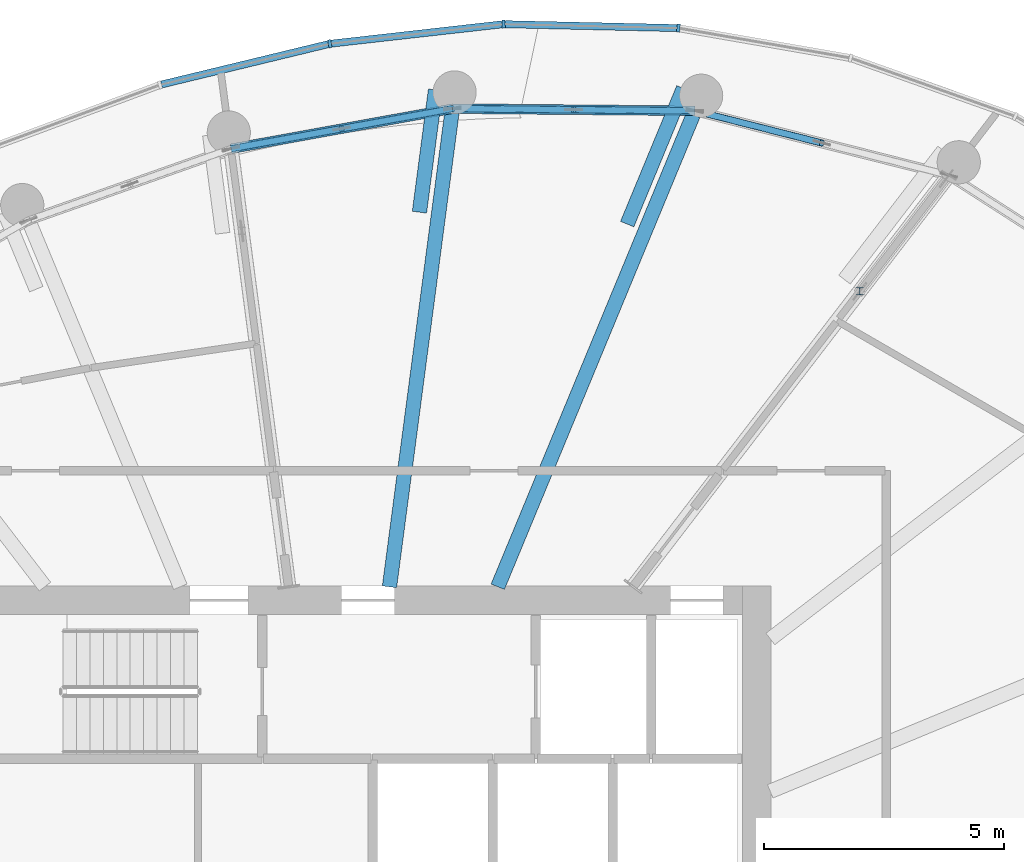
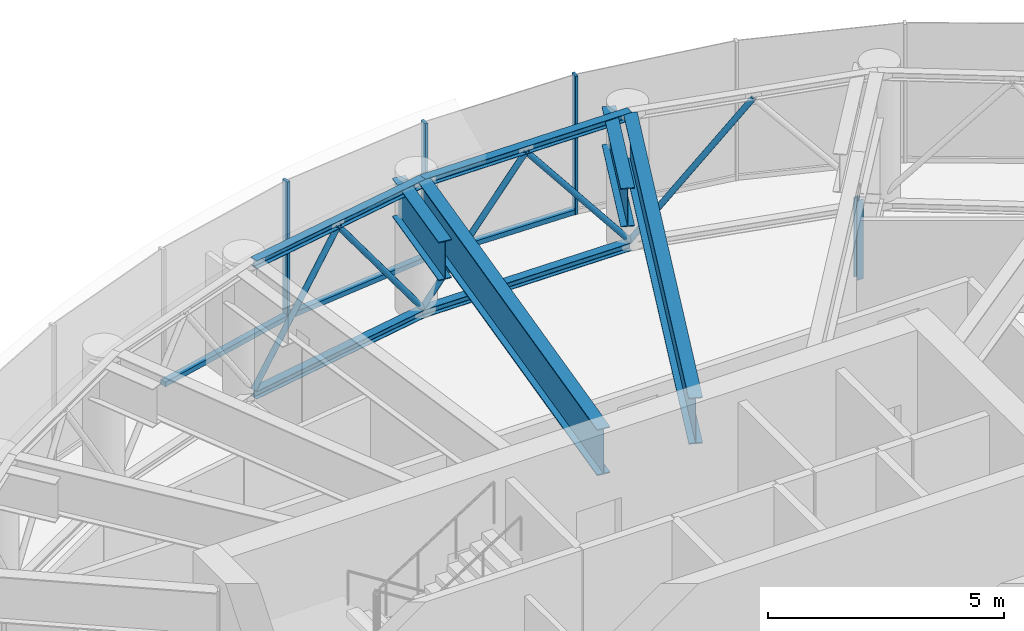
# One storey, part 12 of 26: 16 members, 4 beams, 2 elements without a shape of their own.
"""IFC4 building model written with IfcOpenShell, lengths in metres."""

from ifc_helpers import new_model, si_unit, direction, frame, origin, origin_2d, place, context, subcontext, project, spatial, rectangle, hollow_circle, i_section, extrude, source, transform, mapped, material, layer, layer_set, material_profile, profile_set, type_object, element, aggregate, save


model = new_model("IFC4")

# Units and contexts
model_context = context("Model", 3, precision=1e-05, world=origin(), true_north=direction((0.0, 1.0)))
body_context = subcontext(model_context, "Body", "Model", "MODEL_VIEW")
ifc_project = project(units=[si_unit("LENGTHUNIT", "METRE"), si_unit("AREAUNIT", "SQUARE_METRE"), si_unit("VOLUMEUNIT", "CUBIC_METRE"), si_unit("PLANEANGLEUNIT", "RADIAN"), si_unit("MASSUNIT", "GRAM", prefix="KILO")], contexts=[model_context])

# Site, building, storey
site_placement = place(None, origin())
site = spatial("IfcSite", under=ifc_project, at=site_placement, CompositionType="ELEMENT")
building_placement = place(site_placement, origin())
building = spatial("IfcBuilding", under=site, at=building_placement, Name="Spindrift Exchange Tower", CompositionType="ELEMENT")
storey_placement = place(building_placement, frame((0.0, 0.0, 230.60009765625)))
storey = spatial("IfcBuildingStorey", under=building, at=storey_placement, Name="L56", CompositionType="ELEMENT", Elevation=230.60009765625)

# Beams
ifc_material_1 = material(Name="Steel Grade 300", Category="steel")
ifc_material_profile_1 = material_profile(ifc_material_1, i_section(OverallWidth=0.300048828125, OverallDepth=1.199951171875, WebThickness=0.011962890625, FlangeThickness=0.028076171875, at=origin_2d()), Name="1200WB249")
ifc_profile_set_1 = profile_set([ifc_material_profile_1], Name="Steel Grade 300")
beam_type_1 = type_object("IfcBeamType", Name="Transfer Girder 1200WB249 Steel Grade 300", PredefinedType="BEAM", material=ifc_profile_set_1)
shared_shape_1 = source(origin(), body_context, "Body", "SweptSolid", [
    extrude(i_section(OverallWidth=0.300048828125, OverallDepth=1.199951171875, WebThickness=0.011962890625, FlangeThickness=0.028076171875, at=origin_2d()), origin(), (0.0, 0.0, 1.0), 10.64111328125),
])
beam_1_placement = place(storey_placement, frame((55.30615234375, 55.9814453125, 2.97998046875), z_axis=(0.382672627597, 0.923884007919, 0.0), x_axis=(-0.923884007919, 0.382672627597, 0.0)))
element("IfcBeam", 1, at=beam_1_placement, inside=storey, type_object=beam_type_1, Name="L56 radial beam R05A", PredefinedType="BEAM", context=body_context, shape_type="MappedRepresentation", body=[
    mapped(shared_shape_1, transform((0.0, 0.0, 0.0), scale=1.0)),
])
shared_shape_2 = source(origin(), body_context, "Body", "SweptSolid", [
    extrude(i_section(OverallWidth=0.300048828125, OverallDepth=1.199951171875, WebThickness=0.011962890625, FlangeThickness=0.028076171875, at=origin_2d()), origin(), (0.0, 0.0, 1.0), 9.95703125),
])
beam_2_placement = place(storey_placement, frame((53.050537109375, 55.980224609375, 2.97998046875), z_axis=(0.130541406635, 0.991442858239, 0.0), x_axis=(-0.991442858239, 0.130541406635, 0.0)))
element("IfcBeam", 2, at=beam_2_placement, inside=storey, type_object=beam_type_1, Name="L56 radial beam R06A", PredefinedType="BEAM", context=body_context, shape_type="MappedRepresentation", body=[
    mapped(shared_shape_2, transform((0.0, 0.0, 0.0), scale=1.0)),
])

# Members
ifc_material_profile_2 = material_profile(ifc_material_1, i_section(OverallWidth=0.152099609375, OverallDepth=0.152099609375, WebThickness=0.006103515625, FlangeThickness=0.0068359375, FilletRadius=0.008056640625, at=origin_2d()), Name="150UC23.4")
ifc_profile_set_2 = profile_set([ifc_material_profile_2], Name="Steel Grade 300")
member_type_1 = type_object("IfcMemberType", Name="Outrigger Truss Post 150UC23.4 Steel Grade 300", PredefinedType="POST", material=ifc_profile_set_2)
shared_shape_3 = source(origin(), body_context, "Body", "SweptSolid", [
    extrude(i_section(OverallWidth=0.152099609375, OverallDepth=0.152099609375, WebThickness=0.006103515625, FlangeThickness=0.0068359375, FilletRadius=0.008056640625, at=origin_2d()), origin(), (0.0, 0.0, 1.0), 2.072021484375),
])
member_1_placement = place(storey_placement, frame((62.846923828125, 62.135986328125, 0.307861328125), z_axis=(0.0, 0.0, 1.0), x_axis=(1.0, 0.0, 0.0)))
element("IfcMember", 3, at=member_1_placement, inside=storey, type_object=member_type_1, Name="L56 outrigger truss 04 post 1", PredefinedType="POST", context=body_context, shape_type="MappedRepresentation", body=[
    mapped(shared_shape_3, transform((0.0, 0.0, 0.0), scale=1.0)),
])
ifc_material_2 = material(Name="Steel Grade 350", Category="steel")
ifc_material_profile_3 = material_profile(ifc_material_2, hollow_circle(Radius=0.06982421875, WallThickness=0.00537109375, at=origin_2d()), Name="139.7x5.4CHS")
ifc_profile_set_3 = profile_set([ifc_material_profile_3], Name="Steel Grade 350")
member_type_2 = type_object("IfcMemberType", Name="Belt Truss Diagonal 139.7x5.4CHS Steel Grade 350", PredefinedType="BRACE", material=ifc_profile_set_3)
shared_shape_4 = source(origin(), body_context, "Body", "SweptSolid", [
    extrude(hollow_circle(Radius=0.06982421875, WallThickness=0.00537109375, at=origin_2d()), origin(), (0.0, 0.0, 1.0), 4.185546875),
])
member_2_placement = place(storey_placement, frame((62.05712890625, 65.224609375, 3.376953125), z_axis=(-0.63183207654, 0.160291224735, -0.758350150213), x_axis=(-0.245902985222, -0.969294445387, 0.0)))
element("IfcMember", 4, at=member_2_placement, inside=storey, type_object=member_type_2, Name="L56 belt truss 04 diagonal 2", PredefinedType="BRACE", context=body_context, shape_type="MappedRepresentation", body=[
    mapped(shared_shape_4, transform((0.0, 0.0, 0.0), scale=1.0)),
])
ifc_material_profile_4 = material_profile(ifc_material_1, i_section(OverallWidth=0.202880859375, OverallDepth=0.202880859375, WebThickness=0.00732421875, FlangeThickness=0.010986328125, FilletRadius=0.012939453125, at=origin_2d()), Name="200UC46.2")
ifc_profile_set_4 = profile_set([ifc_material_profile_4], Name="Steel Grade 300")
member_type_3 = type_object("IfcMemberType", Name="Belt Truss Chord 200UC46.2 Steel Grade 300", PredefinedType="CHORD", material=ifc_profile_set_4)
shared_shape_5 = source(origin(), body_context, "Body", "SweptSolid", [
    extrude(i_section(OverallWidth=0.202880859375, OverallDepth=0.202880859375, WebThickness=0.00732421875, FlangeThickness=0.010986328125, FilletRadius=0.012939453125, at=origin_2d()), origin(), (0.0, 0.0, 1.0), 5.05078125),
])
for number, where, z_axis, x_axis, name in (
    (5, (59.41259765625, 65.8955078125, 3.478515625), (-0.999959146283, 0.009039124105, 0.0), (-0.009039124105, -0.999959146283, 0.0), "L56 belt truss 05 top chord"),
    (6, (59.41259765625, 65.8955078125, 0.101318359375), (-0.999959146283, 0.009039124105, 0.0), (-0.009039124105, -0.999959146283, 0.0), "L56 belt truss 05 bottom chord"),
):
    element("IfcMember", number, at=place(storey_placement, frame(where, z_axis=z_axis, x_axis=x_axis)), inside=storey, type_object=member_type_3, Name=name, PredefinedType="CHORD", context=body_context, shape_type="MappedRepresentation", body=[
        mapped(shared_shape_5, transform((0.0, 0.0, 0.0), scale=1.0)),
    ])
shared_shape_6 = source(origin(), body_context, "Body", "SweptSolid", [
    extrude(hollow_circle(Radius=0.06982421875, WallThickness=0.00537109375, at=origin_2d()), origin(), (0.0, 0.0, 1.0), 4.05615234375),
])
for number, where, z_axis, x_axis, name in (
    (7, (59.41259765625, 65.8955078125, 0.202880859375), (-0.622598217612, 0.005657795094, 0.782521212991), (-0.00908701846, -0.999958712195, 0.0), "L56 belt truss 05 diagonal 1"),
    (8, (56.88720703125, 65.91845703125, 3.376953125), (-0.62256156822, 0.005597817446, -0.782550802323), (-0.008991225057, -0.999959578119, 0.0), "L56 belt truss 05 diagonal 2"),
):
    element("IfcMember", number, at=place(storey_placement, frame(where, z_axis=z_axis, x_axis=x_axis)), inside=storey, type_object=member_type_2, Name=name, PredefinedType="BRACE", context=body_context, shape_type="MappedRepresentation", body=[
        mapped(shared_shape_6, transform((0.0, 0.0, 0.0), scale=1.0)),
    ])
shared_shape_7 = source(origin(), body_context, "Body", "SweptSolid", [
    extrude(i_section(OverallWidth=0.202880859375, OverallDepth=0.202880859375, WebThickness=0.00732421875, FlangeThickness=0.010986328125, FilletRadius=0.012939453125, at=origin_2d()), origin(), (0.0, 0.0, 1.0), 4.68896484375),
])
for number, where, z_axis, x_axis, name in (
    (9, (54.362060546875, 65.941162109375, 3.478515625), (-0.983990478319, -0.178221038536, 0.0), (0.178221038536, -0.983990478319, 0.0), "L56 belt truss 06 top chord"),
    (10, (54.362060546875, 65.941162109375, 0.101318359375), (-0.983990478319, -0.178221038536, 0.0), (0.178221038536, -0.983990478319, 0.0), "L56 belt truss 06 bottom chord"),
):
    element("IfcMember", number, at=place(storey_placement, frame(where, z_axis=z_axis, x_axis=x_axis)), inside=storey, type_object=member_type_3, Name=name, PredefinedType="CHORD", context=body_context, shape_type="MappedRepresentation", body=[
        mapped(shared_shape_7, transform((0.0, 0.0, 0.0), scale=1.0)),
    ])
shared_shape_8 = source(origin(), body_context, "Body", "SweptSolid", [
    extrude(hollow_circle(Radius=0.06982421875, WallThickness=0.00537109375, at=origin_2d()), origin(), (0.0, 0.0, 1.0), 3.9462890625),
])
member_3_placement = place(storey_placement, frame((54.362060546875, 65.941162109375, 0.202880859375), z_axis=(-0.584649804162, -0.105917509495, 0.804342021578), x_axis=(0.178262317218, -0.983983001001, 0.0)))
element("IfcMember", 11, at=member_3_placement, inside=storey, type_object=member_type_2, Name="L56 belt truss 06 diagonal 1", PredefinedType="BRACE", context=body_context, shape_type="MappedRepresentation", body=[
    mapped(shared_shape_8, transform((0.0, 0.0, 0.0), scale=1.0)),
])
shared_shape_9 = source(origin(), body_context, "Body", "SweptSolid", [
    extrude(hollow_circle(Radius=0.06982421875, WallThickness=0.00537109375, at=origin_2d()), origin(), (0.0, 0.0, 1.0), 3.946044921875),
])
member_4_placement = place(storey_placement, frame((52.054931640625, 65.523193359375, 3.376953125), z_axis=(-0.584612911647, -0.105860164232, -0.80437638526), x_axis=(0.178179754543, -0.98399795481, 0.0)))
element("IfcMember", 12, at=member_4_placement, inside=storey, type_object=member_type_2, Name="L56 belt truss 06 diagonal 2", PredefinedType="BRACE", context=body_context, shape_type="MappedRepresentation", body=[
    mapped(shared_shape_9, transform((0.0, 0.0, 0.0), scale=1.0)),
])

# Beams
ifc_material_profile_5 = material_profile(ifc_material_1, i_section(OverallWidth=0.300048828125, OverallDepth=1.0, WebThickness=0.010009765625, FlangeThickness=0.02001953125, at=origin_2d()), Name="1000WB215")
ifc_profile_set_5 = profile_set([ifc_material_profile_5], Name="Steel Grade 300")
beam_type_2 = type_object("IfcBeamType", Name="Transfer Tie Beam 1000WB215 Steel Grade 300", PredefinedType="BEAM", material=ifc_profile_set_5)
shared_shape_10 = source(origin(), body_context, "Body", "SweptSolid", [
    extrude(i_section(OverallWidth=0.300048828125, OverallDepth=1.0, WebThickness=0.010009765625, FlangeThickness=0.02001953125, at=origin_2d()), origin(), (0.0, 0.0, 1.0), 3.06005859375),
])
beam_3_placement = place(storey_placement, frame((59.173095703125, 66.36279296875, 2.97998046875), z_axis=(-0.382643045304, -0.923896260346, 0.0), x_axis=(0.923896260346, -0.382643045304, 0.0)))
element("IfcBeam", 13, at=beam_3_placement, inside=storey, type_object=beam_type_2, Name="L56 transfer tie beam K05", PredefinedType="BEAM", context=body_context, shape_type="MappedRepresentation", body=[
    mapped(shared_shape_10, transform((0.0, 0.0, 0.0), scale=1.0)),
])
shared_shape_11 = source(origin(), body_context, "Body", "SweptSolid", [
    extrude(i_section(OverallWidth=0.300048828125, OverallDepth=1.0, WebThickness=0.010009765625, FlangeThickness=0.02001953125, at=origin_2d()), origin(), (0.0, 0.0, 1.0), 2.569091796875),
])
beam_4_placement = place(storey_placement, frame((54.009765625, 66.33056640625, 2.97998046875), z_axis=(-0.130476636685, -0.991451384224, 0.0), x_axis=(0.991451384224, -0.130476636685, 0.0)))
element("IfcBeam", 14, at=beam_4_placement, inside=storey, type_object=beam_type_2, Name="L56 transfer tie beam K06", PredefinedType="BEAM", context=body_context, shape_type="MappedRepresentation", body=[
    mapped(shared_shape_11, transform((0.0, 0.0, 0.0), scale=1.0)),
])

# Curtain wall, member
ifc_material_3 = material(Name="Fritted laminated glass with bronze frame", Category="glass")
ifc_layer = layer(ifc_material_3, 0.169921875)
ifc_layer_set = layer_set([ifc_layer], Name="ZONE 4 BRONZE FRITTED WALL")
curtain_wall_type = type_object("IfcCurtainWallType", Name="ZONE 4 BRONZE FRITTED WALL", PredefinedType="NOTDEFINED", material=ifc_layer_set)
curtain_wall_1_placement = place(storey_placement, origin())
curtain_wall_1 = element("IfcCurtainWall", 15, at=curtain_wall_1_placement, inside=storey, type_object=curtain_wall_type, Name="L56 Zone 4 Bronze Fritted Wall run 1", PredefinedType="NOTDEFINED")
ifc_material_4 = material(Name="Bronze anodised aluminium", Category="aluminium")
ifc_material_profile_6 = material_profile(ifc_material_4, rectangle(XDim=0.06494140625, YDim=0.169921875, at=origin_2d()), Name="ZONE 4 BRONZE FRITTED WALL MULLION 65X170")
ifc_profile_set_6 = profile_set([ifc_material_profile_6], Name="Bronze anodised aluminium")
member_type_4 = type_object("IfcMemberType", Name="ZONE 4 BRONZE FRITTED WALL MULLION 65X170", PredefinedType="MULLION", material=ifc_profile_set_6)
shared_shape_12 = source(origin(), body_context, "Body", "SweptSolid", [
    extrude(rectangle(XDim=0.06494140625, YDim=0.169921875, at=origin_2d()), origin(), (0.0, 0.0, 1.0), 3.579833984375),
])
member_5_placement = place(storey_placement, frame((59.069091796875, 67.618896484375, 0.0), z_axis=(0.0, 0.0, 1.0), x_axis=(-0.995287354312, 0.096969491836, 0.0)))
member_5 = element("IfcMember", 16, at=member_5_placement, type_object=member_type_4, Name="L56 mullion CW-4.6", PredefinedType="MULLION", context=body_context, shape_type="MappedRepresentation", body=[
    mapped(shared_shape_12, transform((0.0, 0.0, 0.0), scale=1.0)),
])

# Curtain wall, members
curtain_wall_2_placement = place(storey_placement, origin())
curtain_wall_2 = element("IfcCurtainWall", 17, at=curtain_wall_2_placement, inside=storey, type_object=curtain_wall_type, Name="L56 Zone 4 Bronze Fritted Wall run 2", PredefinedType="NOTDEFINED")
member_6_placement = place(storey_placement, frame((55.42822265625, 67.70068359375, 0.0), z_axis=(0.0, 0.0, 1.0), x_axis=(-0.998989348399, -0.044947544818, 0.0)))
member_6 = element("IfcMember", 18, at=member_6_placement, type_object=member_type_4, Name="L56 mullion CW-4.7", PredefinedType="MULLION", context=body_context, shape_type="MappedRepresentation", body=[
    mapped(shared_shape_12, transform((0.0, 0.0, 0.0), scale=1.0)),
])
member_7_placement = place(storey_placement, frame((51.808837890625, 67.292236328125, 0.0), z_axis=(0.0, 0.0, 1.0), x_axis=(-0.984761656567, -0.173909400998, 0.0)))
member_7 = element("IfcMember", 19, at=member_7_placement, type_object=member_type_4, Name="L56 mullion CW-4.8", PredefinedType="MULLION", context=body_context, shape_type="MappedRepresentation", body=[
    mapped(shared_shape_12, transform((0.0, 0.0, 0.0), scale=1.0)),
])
ifc_material_profile_7 = material_profile(ifc_material_4, rectangle(XDim=0.14990234375, YDim=0.125, at=origin_2d()), Name="ZONE 4 BRONZE FRITTED WALL TRANSOM 150X125")
ifc_profile_set_7 = profile_set([ifc_material_profile_7], Name="Bronze anodised aluminium")
member_type_5 = type_object("IfcMemberType", Name="ZONE 4 BRONZE FRITTED WALL TRANSOM 150X125", PredefinedType="USERDEFINED", material=ifc_profile_set_7)
shared_shape_13 = source(origin(), body_context, "Body", "SweptSolid", [
    extrude(rectangle(XDim=0.14990234375, YDim=0.125, at=origin_2d()), origin(), (0.0, 0.0, 1.0), 3.57763671875),
])
member_8_placement = place(storey_placement, frame((51.77734375, 67.28466796875, 0.0625), z_axis=(-0.971991969716, -0.235014065129, 0.0), x_axis=(0.235014065129, -0.971991969716, 0.0)))
member_8 = element("IfcMember", 20, at=member_8_placement, type_object=member_type_5, Name="L56 transom CW-4.8", ObjectType="TRANSOM", PredefinedType="USERDEFINED", context=body_context, shape_type="MappedRepresentation", body=[
    mapped(shared_shape_13, transform((0.0, 0.0, 0.0), scale=1.0)),
])
shared_shape_14 = source(origin(), body_context, "Body", "SweptSolid", [
    extrude(rectangle(XDim=0.14990234375, YDim=0.125, at=origin_2d()), origin(), (0.0, 0.0, 1.0), 3.5771484375),
])
member_9_placement = place(storey_placement, frame((55.39599609375, 67.697021484375, 0.0625), z_axis=(-0.993693349225, -0.112131742636, 0.0), x_axis=(0.112131742636, -0.993693349225, 0.0)))
member_9 = element("IfcMember", 21, at=member_9_placement, type_object=member_type_5, Name="L56 transom CW-4.7", ObjectType="TRANSOM", PredefinedType="USERDEFINED", context=body_context, shape_type="MappedRepresentation", body=[
    mapped(shared_shape_14, transform((0.0, 0.0, 0.0), scale=1.0)),
])
aggregate(curtain_wall_2, [member_6, member_9, member_7, member_8])

# Member
shared_shape_15 = source(origin(), body_context, "Body", "SweptSolid", [
    extrude(rectangle(XDim=0.14990234375, YDim=0.125, at=origin_2d()), origin(), (0.0, 0.0, 1.0), 3.576904296875),
])
member_10_placement = place(storey_placement, frame((59.03662109375, 67.61962890625, 0.0625), z_axis=(-0.999747826099, 0.022456273284, 0.0), x_axis=(-0.022456273284, -0.999747826099, 0.0)))
member_10 = element("IfcMember", 22, at=member_10_placement, type_object=member_type_5, Name="L56 transom CW-4.6", ObjectType="TRANSOM", PredefinedType="USERDEFINED", context=body_context, shape_type="MappedRepresentation", body=[
    mapped(shared_shape_15, transform((0.0, 0.0, 0.0), scale=1.0)),
])

aggregate(curtain_wall_1, [member_5, member_10])

save(model, "model.ifc")
